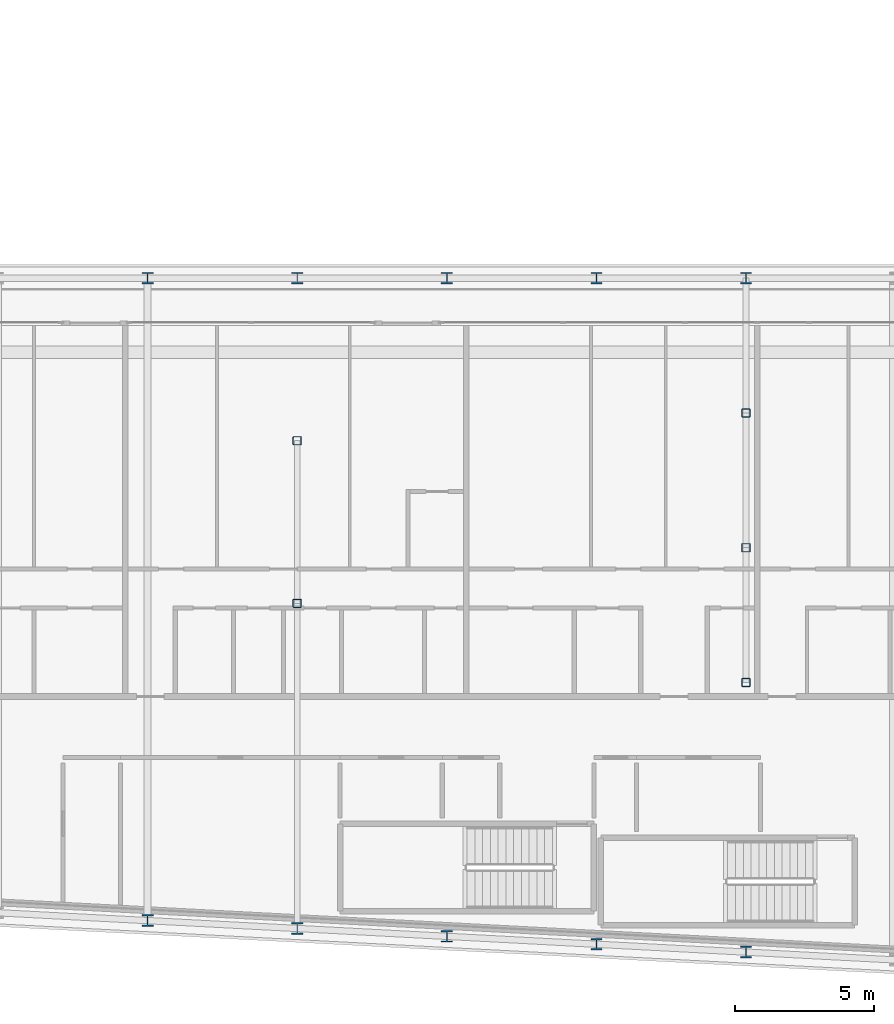
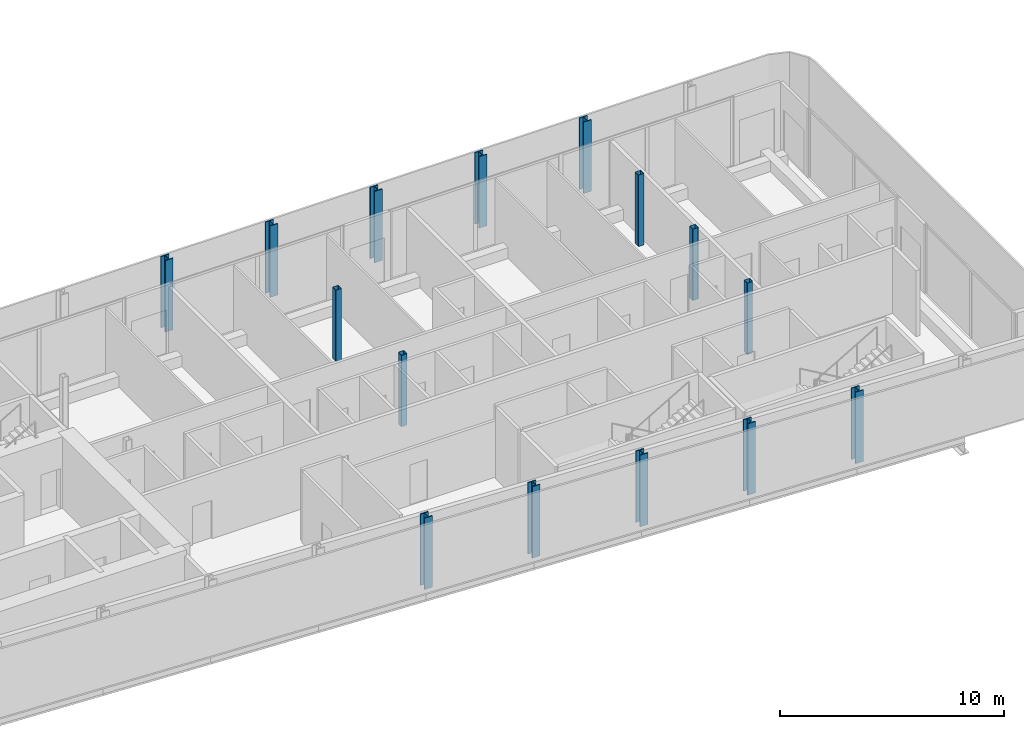
# One storey, part 2 of 29: 15 columns.
"""IFC4 building model written with IfcOpenShell, lengths in metres."""

from ifc_helpers import new_model, si_unit, direction, frame, origin, origin_2d, place, context, subcontext, project, spatial, hollow_rectangle, i_section, extrude, material, material_profile, profile_set, type_object, element, save


model = new_model("IFC4")

# Units and contexts
model_context = context("Model", 3, precision=1e-05, world=origin(), true_north=direction((0.0, 1.0)))
body_context = subcontext(model_context, "Body", "Model", "MODEL_VIEW")
ifc_project = project(units=[si_unit("LENGTHUNIT", "METRE"), si_unit("AREAUNIT", "SQUARE_METRE"), si_unit("VOLUMEUNIT", "CUBIC_METRE"), si_unit("PLANEANGLEUNIT", "RADIAN"), si_unit("MASSUNIT", "GRAM", prefix="KILO")], contexts=[model_context])

# Site, building, storey
site_placement = place(None, origin())
site = spatial("IfcSite", under=ifc_project, at=site_placement, CompositionType="ELEMENT")
building_placement = place(site_placement, origin())
building = spatial("IfcBuilding", under=site, at=building_placement, Name="Kheshtan School and Residences Tower", CompositionType="ELEMENT")
storey_placement = place(building_placement, frame((0.0, 0.0, 172.10009765625)))
storey = spatial("IfcBuildingStorey", under=building, at=storey_placement, Name="L40", CompositionType="ELEMENT", Elevation=172.10009765625)

# Columns
ifc_material_1 = material(Name="Steel ASTM A992 Grade 50", Category="steel")
ifc_material_profile_1 = material_profile(ifc_material_1, i_section(OverallWidth=0.408935546875, OverallDepth=0.425048828125, WebThickness=0.03271484375, FlangeThickness=0.052490234375, FilletRadius=0.0126953125, at=origin_2d()), Name="W360x421")
ifc_profile_set_1 = profile_set([ifc_material_profile_1], Name="Steel ASTM A992 Grade 50")
column_type_1 = type_object("IfcColumnType", Name="Column C3 W360x421 ASTM A992 Grade 50", PredefinedType="COLUMN", material=ifc_profile_set_1)
for number, where, z_axis, x_axis, name in (
    (1, (85.39990234375, 21.27392578125, 0.0), (0.0, 0.0, 1.0), (1.0, 0.0, 0.0), "Column C008"),
    (2, (80.0, 21.55810546875, 0.0), (0.0, 0.0, 1.0), (1.0, 0.0, 0.0), "Column C012"),
    (3, (74.60009765625, 21.843017578125, 0.0), (0.0, 0.0, 1.0), (1.0, 0.0, 0.0), "Column C013"),
    (4, (69.199951171875, 22.126953125, 0.0), (0.0, 0.0, 1.0), (1.0, 0.0, 0.0), "Column C014"),
    (5, (63.800048828125, 22.410888671875, 0.0), (0.0, 0.0, 1.0), (1.0, 0.0, 0.0), "Column C016"),
    (6, (63.800048828125, 45.60009765625, 0.0), (0.0, 0.0, 1.0), (1.0, 0.0, 0.0), "Column C063"),
    (7, (69.199951171875, 45.60009765625, 0.0), (0.0, 0.0, 1.0), (1.0, 0.0, 0.0), "Column C064"),
    (8, (74.60009765625, 45.60009765625, 0.0), (0.0, 0.0, 1.0), (1.0, 0.0, 0.0), "Column C065"),
    (9, (80.0, 45.60009765625, 0.0), (0.0, 0.0, 1.0), (1.0, 0.0, 0.0), "Column C066"),
    (10, (85.39990234375, 45.60009765625, 0.0), (0.0, 0.0, 1.0), (1.0, 0.0, 0.0), "Column C067"),
):
    element("IfcColumn", number, at=place(storey_placement, frame(where, z_axis=z_axis, x_axis=x_axis)), inside=storey, type_object=column_type_1, Name=name, PredefinedType="COLUMN", context=body_context, shape_type="SweptSolid", body=[
        extrude(i_section(OverallWidth=0.408935546875, OverallDepth=0.425048828125, WebThickness=0.03271484375, FlangeThickness=0.052490234375, FilletRadius=0.0126953125, at=origin_2d()), origin(), (0.0, 0.0, 1.0), 3.89990234375),
    ])
ifc_material_2 = material(Name="Steel ASTM A500 Grade C", Category="steel")
ifc_material_profile_2 = material_profile(ifc_material_2, hollow_rectangle(XDim=0.304931640625, YDim=0.304931640625, WallThickness=0.015869140625, InnerFilletRadius=0.015869140625, OuterFilletRadius=0.03173828125, at=origin_2d()), Name="HSS 305x305x15.9")
ifc_profile_set_2 = profile_set([ifc_material_profile_2], Name="Steel ASTM A500 Grade C")
column_type_2 = type_object("IfcColumnType", Name="Column IC2 HSS 305x305x15.9 ASTM A500 Grade C", PredefinedType="COLUMN", material=ifc_profile_set_2)
for number, where, z_axis, x_axis, name in (
    (11, (85.39990234375, 31.0048828125, 0.0), (0.0, 0.0, 1.0), (1.0, 0.0, 0.0), "Column C049"),
    (12, (69.199951171875, 33.863037109375, 0.0), (0.0, 0.0, 1.0), (1.0, 0.0, 0.0), "Column C050"),
    (13, (85.39990234375, 35.8701171875, 0.0), (0.0, 0.0, 1.0), (1.0, 0.0, 0.0), "Column C053"),
    (14, (69.199951171875, 39.73193359375, 0.0), (0.0, 0.0, 1.0), (1.0, 0.0, 0.0), "Column C054"),
    (15, (85.39990234375, 40.735107421875, 0.0), (0.0, 0.0, 1.0), (1.0, 0.0, 0.0), "Column C057"),
):
    element("IfcColumn", number, at=place(storey_placement, frame(where, z_axis=z_axis, x_axis=x_axis)), inside=storey, type_object=column_type_2, Name=name, PredefinedType="COLUMN", context=body_context, shape_type="SweptSolid", body=[
        extrude(hollow_rectangle(XDim=0.304931640625, YDim=0.304931640625, WallThickness=0.015869140625, InnerFilletRadius=0.015869140625, OuterFilletRadius=0.03173828125, at=origin_2d()), origin(), (0.0, 0.0, 1.0), 3.89990234375),
    ])

save(model, "model.ifc")
